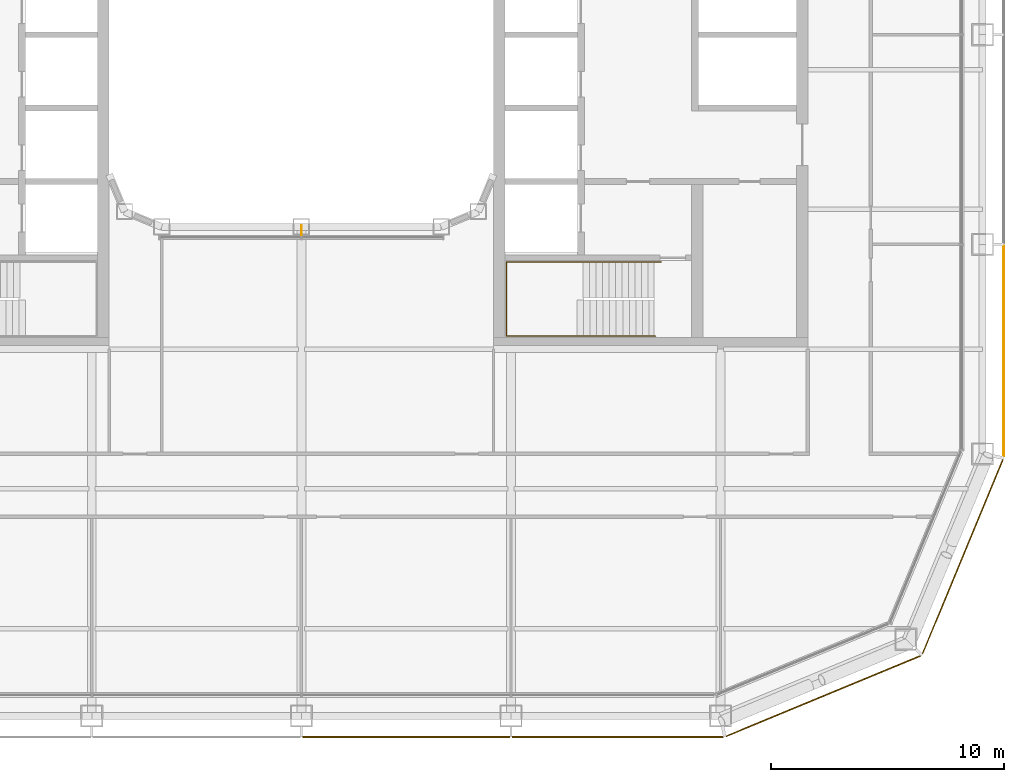
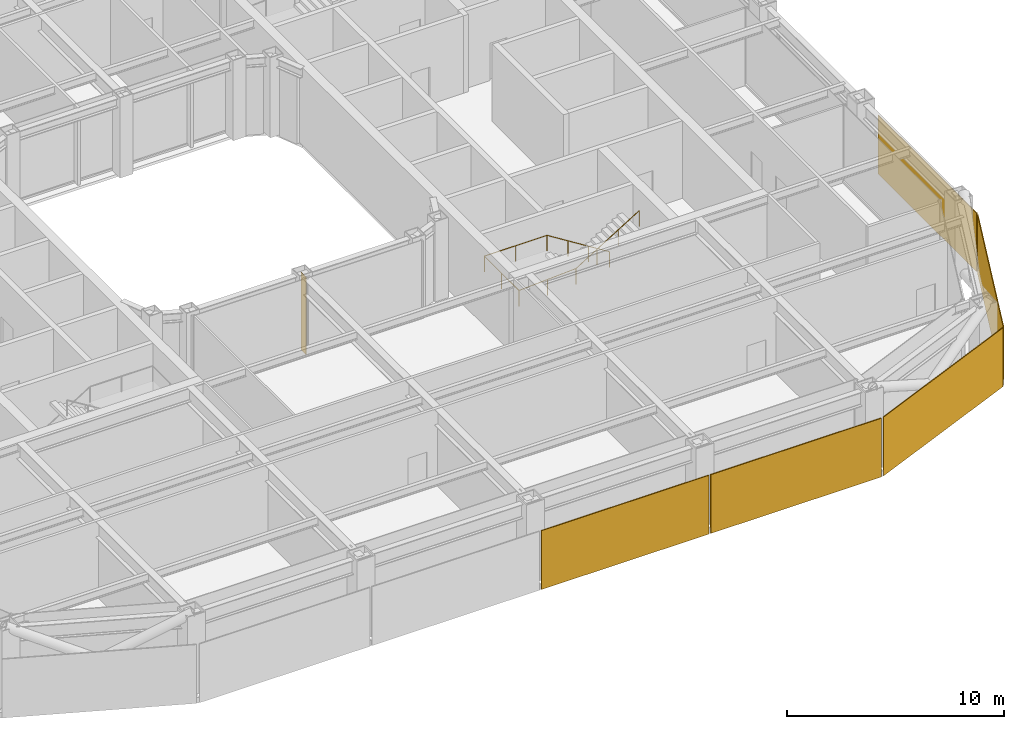
# One storey, part 19 of 23: 5 coverings, 1 railing, 1 shading device.
"""IFC4 building model written with IfcOpenShell, lengths in metres."""

from ifc_helpers import new_model, si_unit, direction, frame, origin, origin_2d, place, context, subcontext, project, spatial, rectangle, circle, extrude, material, layer, layer_set, type_object, element, save


model = new_model("IFC4")

# Units and contexts
model_context = context("Model", 3, precision=1e-05, world=origin(), true_north=direction((0.0, 1.0)))
body_context = subcontext(model_context, "Body", "Model", "MODEL_VIEW")
ifc_project = project(units=[si_unit("LENGTHUNIT", "METRE"), si_unit("AREAUNIT", "SQUARE_METRE"), si_unit("VOLUMEUNIT", "CUBIC_METRE"), si_unit("PLANEANGLEUNIT", "RADIAN"), si_unit("MASSUNIT", "GRAM", prefix="KILO")], contexts=[model_context])

# Site, building, storey
site_placement = place(None, origin())
site = spatial("IfcSite", under=ifc_project, at=site_placement, CompositionType="ELEMENT")
building_placement = place(site_placement, origin())
building = spatial("IfcBuilding", under=site, at=building_placement, Name="Siwar Civic Tower", CompositionType="ELEMENT")
storey_placement = place(building_placement, frame((0.0, 0.0, 118.199951171875)))
storey = spatial("IfcBuildingStorey", under=building, at=storey_placement, Name="L25", CompositionType="ELEMENT", Elevation=118.199951171875)

# Railing
ifc_material_1 = material(Name="Stainless steel", Category="steel")
railing_type = type_object("IfcRailingType", Name="CORE-STAIR-HANDRAIL", PredefinedType="HANDRAIL", material=ifc_material_1)
railing_placement = place(storey_placement, frame((15.449951171875, -9.758056640625, 0.173095703125)))
element("IfcRailing", 1, at=railing_placement, inside=storey, type_object=railing_type, Name="Stair handrail ST4", PredefinedType="HANDRAIL", context=body_context, shape_type="SweptSolid", body=[
    extrude(circle(Radius=0.02001953125, at=origin_2d()), frame((0.0, 0.0, 0.8798828125), z_axis=(-0.847063342986, 0.0, 0.531491950051), x_axis=(0.0, -1.0, 0.0)), (0.0, 0.0, 1.0), 3.90771484375),
    extrude(circle(Radius=0.02001953125, at=origin_2d()), frame((-3.31005859375, 0.0, 2.956787109375), z_axis=(-1.0, 0.0, 0.0), x_axis=(0.0, -1.0, 0.0)), (0.0, 0.0, 1.0), 3.331787109375),
    extrude(circle(Radius=0.02001953125, at=origin_2d()), frame((-6.641845703125, 0.0, 2.956787109375), z_axis=(0.0, -1.0, 0.0), x_axis=(1.0, 0.0, 0.0)), (0.0, 0.0, 1.0), 3.183837890625),
    extrude(circle(Radius=0.02001953125, at=origin_2d()), frame((-6.641845703125, -3.183837890625, 2.956787109375), z_axis=(0.99837434197, 0.0, 0.056997134106), x_axis=(0.0, 1.0, 0.0)), (0.0, 0.0, 1.0), 3.036865234375),
    extrude(circle(Radius=0.02001953125, at=origin_2d()), frame((-3.60986328125, -3.183837890625, 3.1298828125), z_axis=(0.850606129759, 0.0, 0.525803396734), x_axis=(0.0, 1.0, 0.0)), (0.0, 0.0, 1.0), 3.949951171875),
    extrude(circle(Radius=0.02001953125, at=origin_2d()), origin(), (0.0, 0.0, 1.0), 0.85986328125),
    extrude(circle(Radius=0.02001953125, at=origin_2d()), frame((-1.103271484375, 0.0, 0.6923828125)), (0.0, 0.0, 1.0), 0.85986328125),
    extrude(circle(Radius=0.02001953125, at=origin_2d()), frame((-2.206787109375, 0.0, 1.384521484375)), (0.0, 0.0, 1.0), 0.85986328125),
    extrude(circle(Radius=0.02001953125, at=origin_2d()), frame((-3.31005859375, 0.0, 2.076904296875)), (0.0, 0.0, 1.0), 0.85986328125),
    extrude(circle(Radius=0.02001953125, at=origin_2d()), frame((-4.97607421875, 0.0, 2.076904296875)), (0.0, 0.0, 1.0), 0.85986328125),
    extrude(circle(Radius=0.02001953125, at=origin_2d()), frame((-6.641845703125, 0.0, 2.076904296875)), (0.0, 0.0, 1.0), 0.85986328125),
    extrude(circle(Radius=0.02001953125, at=origin_2d()), frame((-6.641845703125, -1.591796875, 2.076904296875)), (0.0, 0.0, 1.0), 0.85986328125),
    extrude(circle(Radius=0.02001953125, at=origin_2d()), frame((-6.641845703125, -3.183837890625, 2.076904296875)), (0.0, 0.0, 1.0), 0.85986328125),
    extrude(circle(Radius=0.02001953125, at=origin_2d()), frame((-5.1259765625, -3.183837890625, 2.16357421875)), (0.0, 0.0, 1.0), 0.85986328125),
    extrude(circle(Radius=0.02001953125, at=origin_2d()), frame((-3.60986328125, -3.183837890625, 2.25)), (0.0, 0.0, 1.0), 0.85986328125),
    extrude(circle(Radius=0.02001953125, at=origin_2d()), frame((-2.489990234375, -3.183837890625, 2.9423828125)), (0.0, 0.0, 1.0), 0.85986328125),
    extrude(circle(Radius=0.02001953125, at=origin_2d()), frame((-1.369873046875, -3.183837890625, 3.634521484375)), (0.0, 0.0, 1.0), 0.85986328125),
    extrude(circle(Radius=0.02001953125, at=origin_2d()), frame((-0.25, -3.183837890625, 4.326904296875)), (0.0, 0.0, 1.0), 0.85986328125),
])

# Shading device
ifc_material_2 = material(Name="Aluminium 6063-T6", Category="aluminium")
ifc_layer_1 = layer(ifc_material_2, 0.02001953125)
ifc_layer_set_1 = layer_set([ifc_layer_1], Name="Aluminium 6063-T6")
shading_device_type = type_object("IfcShadingDeviceType", Name="ENV-FIN", PredefinedType="JALOUSIE", material=ifc_layer_set_1)
shading_device_placement = place(storey_placement, frame((0.0, -8.39501953125, 0.0), z_axis=(0.0, 0.0, 1.0), x_axis=(1.0, 0.0, 0.0)))
element("IfcShadingDevice", 2, at=shading_device_placement, inside=storey, type_object=shading_device_type, Name="SUNSHADE fin WS 1", PredefinedType="JALOUSIE", context=body_context, shape_type="SweptSolid", body=[
    extrude(rectangle(XDim=0.02001953125, YDim=0.449951171875, at=origin_2d()), origin(), (0.0, 0.0, 1.0), 4.35009765625),
])

# Coverings
ifc_material_3 = material(Name="Perforated aluminium cassette, pale metal", Category="aluminium")
ifc_layer_2 = layer(ifc_material_3, 0.0400390625)
ifc_layer_set_2 = layer_set([ifc_layer_2], Name="Perforated aluminium cassette, pale metal")
covering_type_1 = type_object("IfcCoveringType", Name="ENV-OUTER SKIN OS-1", PredefinedType="CLADDING", material=ifc_layer_set_2)
covering_1_placement = place(storey_placement, frame((30.14990234375, -13.57958984375, -0.14990234375), z_axis=(0.0, 0.0, 1.0), x_axis=(0.0, 1.0, 0.0)))
element("IfcCovering", 3, at=covering_1_placement, inside=storey, type_object=covering_type_1, Name="OUTER SKIN OS-1 E 1", PredefinedType="CLADDING", context=body_context, shape_type="SweptSolid", body=[
    extrude(rectangle(XDim=9.05908203125, YDim=0.0400390625, at=origin_2d()), origin(), (0.0, 0.0, 1.0), 3.300048828125),
])
ifc_material_4 = material(Name="Perforated aluminium cassette, pale metal", Category="aluminium")
ifc_layer_3 = layer(ifc_material_4, 0.044921875)
ifc_layer_set_3 = layer_set([ifc_layer_3], Name="Perforated aluminium cassette, pale metal")
covering_type_2 = type_object("IfcCoveringType", Name="ENV-OUTER SKIN OS-2", PredefinedType="CLADDING", material=ifc_layer_set_3)
covering_2_placement = place(storey_placement, frame((28.39697265625, -22.411376953125, -0.14990234375), z_axis=(0.0, 0.0, 1.0), x_axis=(0.382683432365, 0.923879532511, 0.0)))
element("IfcCovering", 4, at=covering_2_placement, inside=storey, type_object=covering_type_2, Name="OUTER SKIN OS-2 SE2 1", PredefinedType="CLADDING", context=body_context, shape_type="SweptSolid", body=[
    extrude(rectangle(XDim=9.022216796875, YDim=0.044921875, at=origin_2d()), origin(), (0.0, 0.0, 1.0), 3.300048828125),
])
ifc_material_5 = material(Name="Perforated aluminium cassette, pale metal", Category="aluminium")
ifc_layer_4 = layer(ifc_material_5, 0.050048828125)
ifc_layer_set_4 = layer_set([ifc_layer_4], Name="Perforated aluminium cassette, pale metal")
covering_type_3 = type_object("IfcCoveringType", Name="ENV-OUTER SKIN OS-3", PredefinedType="CLADDING", material=ifc_layer_set_4)
covering_3_placement = place(storey_placement, frame((22.411376953125, -28.39697265625, -0.14990234375), z_axis=(0.0, 0.0, 1.0), x_axis=(0.923879532511, 0.382683432365, 0.0)))
element("IfcCovering", 5, at=covering_3_placement, inside=storey, type_object=covering_type_3, Name="OUTER SKIN OS-3 SE1 1", PredefinedType="CLADDING", context=body_context, shape_type="SweptSolid", body=[
    extrude(rectangle(XDim=9.022216796875, YDim=0.050048828125, at=origin_2d()), origin(), (0.0, 0.0, 1.0), 3.300048828125),
])
ifc_material_6 = material(Name="Perforated aluminium cassette, pale metal", Category="aluminium")
ifc_layer_5 = layer(ifc_material_6, 0.054931640625)
ifc_layer_set_5 = layer_set([ifc_layer_5], Name="Perforated aluminium cassette, pale metal")
covering_type_4 = type_object("IfcCoveringType", Name="ENV-OUTER SKIN OS-4", PredefinedType="CLADDING", material=ifc_layer_set_5)
covering_4_placement = place(storey_placement, frame((4.5, -30.14990234375, -0.14990234375), z_axis=(0.0, 0.0, 1.0), x_axis=(1.0, 0.0, 0.0)))
element("IfcCovering", 6, at=covering_4_placement, inside=storey, type_object=covering_type_4, Name="OUTER SKIN OS-4 S 3", PredefinedType="CLADDING", context=body_context, shape_type="SweptSolid", body=[
    extrude(rectangle(XDim=8.89990234375, YDim=0.054931640625, at=origin_2d()), origin(), (0.0, 0.0, 1.0), 3.300048828125),
])
covering_5_placement = place(storey_placement, frame((13.57958984375, -30.14990234375, -0.14990234375), z_axis=(0.0, 0.0, 1.0), x_axis=(1.0, 0.0, 0.0)))
element("IfcCovering", 7, at=covering_5_placement, inside=storey, type_object=covering_type_4, Name="OUTER SKIN OS-4 S 4", PredefinedType="CLADDING", context=body_context, shape_type="SweptSolid", body=[
    extrude(rectangle(XDim=9.05908203125, YDim=0.054931640625, at=origin_2d()), origin(), (0.0, 0.0, 1.0), 3.300048828125),
])

save(model, "model.ifc")
